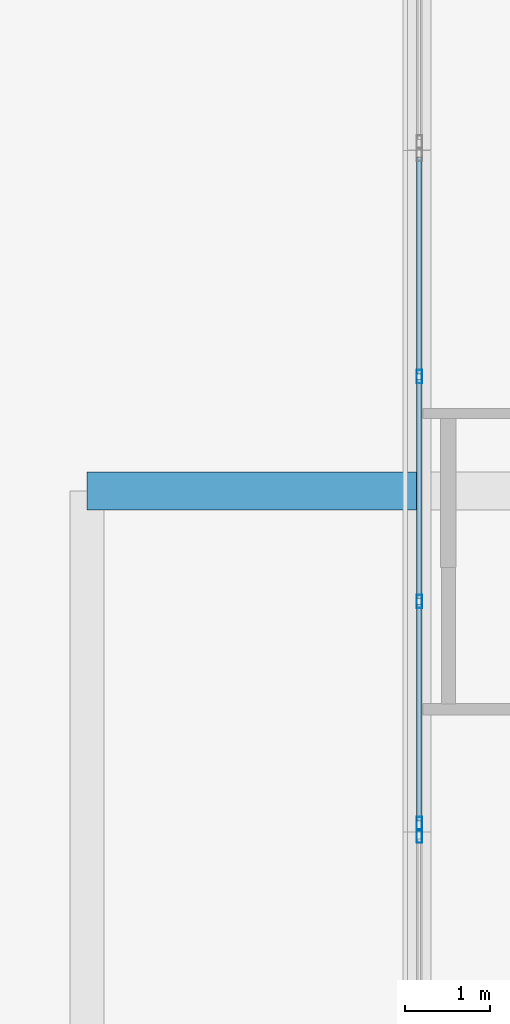
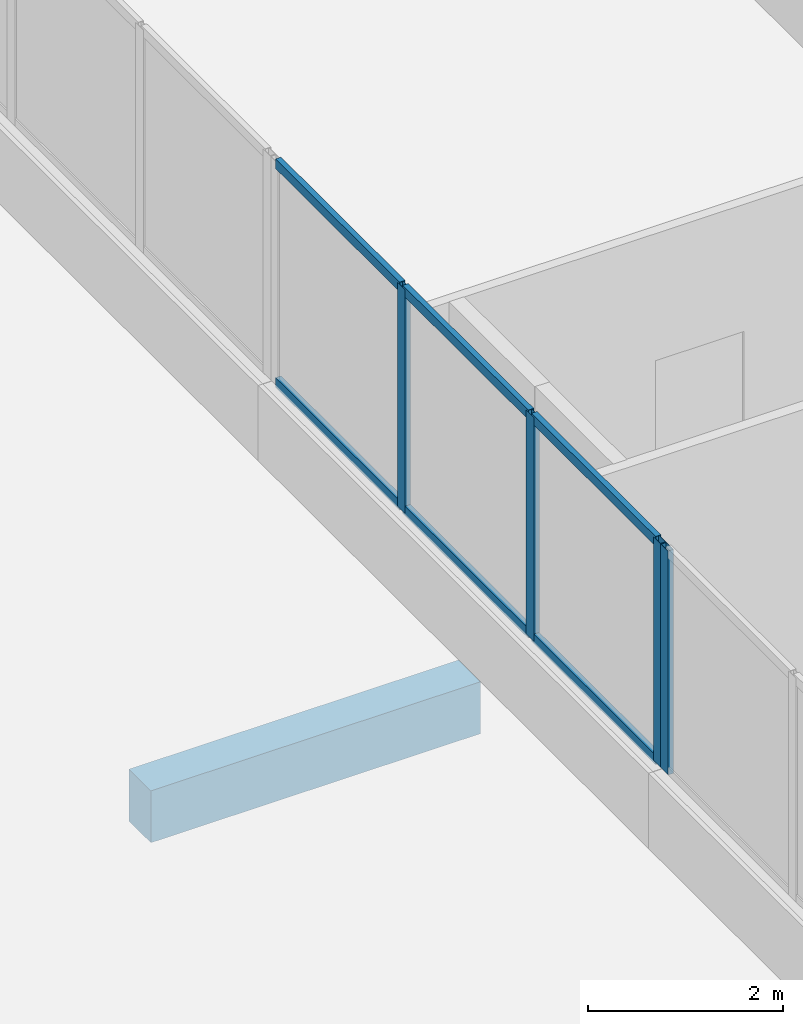
# One storey, part 12 of 67: 10 members, 1 beam, 2 elements without a shape of their own.
"""IFC4 building model written with IfcOpenShell, lengths in metres."""

from ifc_helpers import new_model, si_unit, direction, frame, origin, origin_2d, place, context, subcontext, project, spatial, rectangle, hollow_rectangle, extrude, material, material_profile, profile_set, type_object, element, aggregate, save


model = new_model("IFC4")

# Units and contexts
model_context = context("Model", 3, precision=1e-05, world=origin(), true_north=direction((0.0, 1.0)))
body_context = subcontext(model_context, "Body", "Model", "MODEL_VIEW")
ifc_project = project(units=[si_unit("LENGTHUNIT", "METRE"), si_unit("AREAUNIT", "SQUARE_METRE"), si_unit("VOLUMEUNIT", "CUBIC_METRE"), si_unit("PLANEANGLEUNIT", "RADIAN"), si_unit("MASSUNIT", "GRAM", prefix="KILO")], contexts=[model_context])

# Site, building, storey
site_placement = place(None, origin())
site = spatial("IfcSite", under=ifc_project, at=site_placement, CompositionType="ELEMENT")
building_placement = place(site_placement, origin())
building = spatial("IfcBuilding", under=site, at=building_placement, Name="Selatvlak General Hospital", CompositionType="ELEMENT")
storey_placement = place(building_placement, frame((0.0, 0.0, 35.39990234375)))
storey = spatial("IfcBuildingStorey", under=building, at=storey_placement, Name="L08", CompositionType="ELEMENT", Elevation=35.39990234375)

# Beam
ifc_material_1 = material(Name="Concrete C40/50", Category="concrete")
ifc_material_profile_1 = material_profile(ifc_material_1, rectangle(XDim=0.449951171875, YDim=0.64990234375, at=origin_2d()), Name="RC-BM 450x650")
ifc_profile_set_1 = profile_set([ifc_material_profile_1], Name="Concrete C40/50")
beam_type = type_object("IfcBeamType", Name="BM-G04", PredefinedType="BEAM", material=ifc_profile_set_1)
beam_placement = place(storey_placement, frame((27.300048828125, 108.0, -0.596923828125), z_axis=(1.0, 0.0, 0.0), x_axis=(0.0, 1.0, 0.0)))
element("IfcBeam", 1, at=beam_placement, inside=storey, type_object=beam_type, Name="Beam BMR-L08-2608", PredefinedType="BEAM", context=body_context, shape_type="SweptSolid", body=[
    extrude(rectangle(XDim=0.449951171875, YDim=0.64990234375, at=origin_2d()), origin(), (0.0, 0.0, 1.0), 3.89990234375),
])

# Curtain wall, member
ifc_material_2 = material(Name="Solar-control Low-E double glazing", Category="glass")
curtain_wall_type_1 = type_object("IfcCurtainWallType", Name="CW-CW-01", PredefinedType="USERDEFINED", material=ifc_material_2)
curtain_wall_1_placement = place(storey_placement, origin())
curtain_wall_1 = element("IfcCurtainWall", 2, at=curtain_wall_1_placement, inside=storey, type_object=curtain_wall_type_1, Name="Glazed facade curtain wall CW-L08-0680", ObjectType="UNITISED CURTAIN WALL", PredefinedType="USERDEFINED")
ifc_material_3 = material(Name="Dark anodised aluminium mullion", Category="aluminium")
ifc_material_profile_2 = material_profile(ifc_material_3, hollow_rectangle(XDim=0.06494140625, YDim=0.159912109375, WallThickness=0.00390625, at=origin_2d()), Name="AL-MUL 65x160x4")
ifc_profile_set_2 = profile_set([ifc_material_profile_2], Name="Dark anodised aluminium mullion")
member_type_1 = type_object("IfcMemberType", Name="CWM-01", PredefinedType="MULLION", material=ifc_profile_set_2)
member_1_placement = place(storey_placement, frame((31.199951171875, 103.951416015625, 0.940185546875), z_axis=(0.0, 0.0, 1.0), x_axis=(-1.0, 0.0, 0.0)))
member_1 = element("IfcMember", 3, at=member_1_placement, type_object=member_type_1, Name="CW-01 mullion 4", PredefinedType="MULLION", context=body_context, shape_type="SweptSolid", body=[
    extrude(hollow_rectangle(XDim=0.06494140625, YDim=0.159912109375, WallThickness=0.00390625, at=origin_2d()), origin(), (0.0, 0.0, 1.0), 2.7998046875),
])
aggregate(curtain_wall_1, [member_1])

# Curtain wall, members
curtain_wall_type_2 = type_object("IfcCurtainWallType", Name="CW-CW-02", PredefinedType="USERDEFINED", material=ifc_material_2)
curtain_wall_2_placement = place(storey_placement, origin())
curtain_wall_2 = element("IfcCurtainWall", 4, at=curtain_wall_2_placement, inside=storey, type_object=curtain_wall_type_2, Name="Glazed facade curtain wall CW-L08-0681", ObjectType="UNITISED CURTAIN WALL", PredefinedType="USERDEFINED")
member_2_placement = place(storey_placement, frame((31.199951171875, 104.096435546875, 0.940185546875), z_axis=(0.0, 0.0, 1.0), x_axis=(-1.0, 0.0, 0.0)))
member_2 = element("IfcMember", 5, at=member_2_placement, type_object=member_type_1, Name="CW-02 mullion 1", PredefinedType="MULLION", context=body_context, shape_type="SweptSolid", body=[
    extrude(hollow_rectangle(XDim=0.06494140625, YDim=0.159912109375, WallThickness=0.00390625, at=origin_2d()), origin(), (0.0, 0.0, 1.0), 2.7998046875),
])
member_3_placement = place(storey_placement, frame((31.199951171875, 106.7041015625, 0.940185546875), z_axis=(0.0, 0.0, 1.0), x_axis=(-1.0, 0.0, 0.0)))
member_3 = element("IfcMember", 6, at=member_3_placement, type_object=member_type_1, Name="CW-02 mullion 2", PredefinedType="MULLION", context=body_context, shape_type="SweptSolid", body=[
    extrude(hollow_rectangle(XDim=0.06494140625, YDim=0.159912109375, WallThickness=0.00390625, at=origin_2d()), origin(), (0.0, 0.0, 1.0), 2.7998046875),
])
member_4_placement = place(storey_placement, frame((31.199951171875, 109.343994140625, 0.940185546875), z_axis=(0.0, 0.0, 1.0), x_axis=(-1.0, 0.0, 0.0)))
member_4 = element("IfcMember", 7, at=member_4_placement, type_object=member_type_1, Name="CW-02 mullion 3", PredefinedType="MULLION", context=body_context, shape_type="SweptSolid", body=[
    extrude(hollow_rectangle(XDim=0.06494140625, YDim=0.159912109375, WallThickness=0.00390625, at=origin_2d()), origin(), (0.0, 0.0, 1.0), 2.7998046875),
])
ifc_material_profile_3 = material_profile(ifc_material_3, hollow_rectangle(XDim=0.06494140625, YDim=0.1201171875, WallThickness=0.00390625, at=origin_2d()), Name="AL-TRN 65x120x4")
ifc_profile_set_3 = profile_set([ifc_material_profile_3], Name="Dark anodised aluminium mullion")
member_type_2 = type_object("IfcMemberType", Name="CWT-01", PredefinedType="USERDEFINED", material=ifc_profile_set_3)
member_5_placement = place(storey_placement, frame((31.199951171875, 104.12890625, 0.97265625), z_axis=(0.0, 1.0, 0.0), x_axis=(-1.0, 0.0, 0.0)))
member_5 = element("IfcMember", 8, at=member_5_placement, type_object=member_type_2, Name="CW-02 transom 1.1", ObjectType="TRANSOM", PredefinedType="USERDEFINED", context=body_context, shape_type="SweptSolid", body=[
    extrude(hollow_rectangle(XDim=0.06494140625, YDim=0.1201171875, WallThickness=0.00390625, at=origin_2d()), origin(), (0.0, 0.0, 1.0), 2.54248046875),
])
member_6_placement = place(storey_placement, frame((31.199951171875, 104.12890625, 3.70751953125), z_axis=(0.0, 1.0, 0.0), x_axis=(-1.0, 0.0, 0.0)))
member_6 = element("IfcMember", 9, at=member_6_placement, type_object=member_type_2, Name="CW-02 transom 1.2", ObjectType="TRANSOM", PredefinedType="USERDEFINED", context=body_context, shape_type="SweptSolid", body=[
    extrude(hollow_rectangle(XDim=0.06494140625, YDim=0.1201171875, WallThickness=0.00390625, at=origin_2d()), origin(), (0.0, 0.0, 1.0), 2.54248046875),
])
member_7_placement = place(storey_placement, frame((31.199951171875, 106.736572265625, 0.97265625), z_axis=(0.0, 1.0, 0.0), x_axis=(-1.0, 0.0, 0.0)))
member_7 = element("IfcMember", 10, at=member_7_placement, type_object=member_type_2, Name="CW-02 transom 2.1", ObjectType="TRANSOM", PredefinedType="USERDEFINED", context=body_context, shape_type="SweptSolid", body=[
    extrude(hollow_rectangle(XDim=0.06494140625, YDim=0.1201171875, WallThickness=0.00390625, at=origin_2d()), origin(), (0.0, 0.0, 1.0), 2.574951171875),
])
member_8_placement = place(storey_placement, frame((31.199951171875, 106.736572265625, 3.70751953125), z_axis=(0.0, 1.0, 0.0), x_axis=(-1.0, 0.0, 0.0)))
member_8 = element("IfcMember", 11, at=member_8_placement, type_object=member_type_2, Name="CW-02 transom 2.2", ObjectType="TRANSOM", PredefinedType="USERDEFINED", context=body_context, shape_type="SweptSolid", body=[
    extrude(hollow_rectangle(XDim=0.06494140625, YDim=0.1201171875, WallThickness=0.00390625, at=origin_2d()), origin(), (0.0, 0.0, 1.0), 2.574951171875),
])
member_9_placement = place(storey_placement, frame((31.199951171875, 109.37646484375, 0.97265625), z_axis=(0.0, 1.0, 0.0), x_axis=(-1.0, 0.0, 0.0)))
member_9 = element("IfcMember", 12, at=member_9_placement, type_object=member_type_2, Name="CW-02 transom 3.1", ObjectType="TRANSOM", PredefinedType="USERDEFINED", context=body_context, shape_type="SweptSolid", body=[
    extrude(hollow_rectangle(XDim=0.06494140625, YDim=0.1201171875, WallThickness=0.00390625, at=origin_2d()), origin(), (0.0, 0.0, 1.0), 2.54248046875),
])
member_10_placement = place(storey_placement, frame((31.199951171875, 109.37646484375, 3.70751953125), z_axis=(0.0, 1.0, 0.0), x_axis=(-1.0, 0.0, 0.0)))
member_10 = element("IfcMember", 13, at=member_10_placement, type_object=member_type_2, Name="CW-02 transom 3.2", ObjectType="TRANSOM", PredefinedType="USERDEFINED", context=body_context, shape_type="SweptSolid", body=[
    extrude(hollow_rectangle(XDim=0.06494140625, YDim=0.1201171875, WallThickness=0.00390625, at=origin_2d()), origin(), (0.0, 0.0, 1.0), 2.54248046875),
])
aggregate(curtain_wall_2, [member_2, member_3, member_4, member_5, member_6, member_7, member_8, member_9, member_10])

save(model, "model.ifc")
